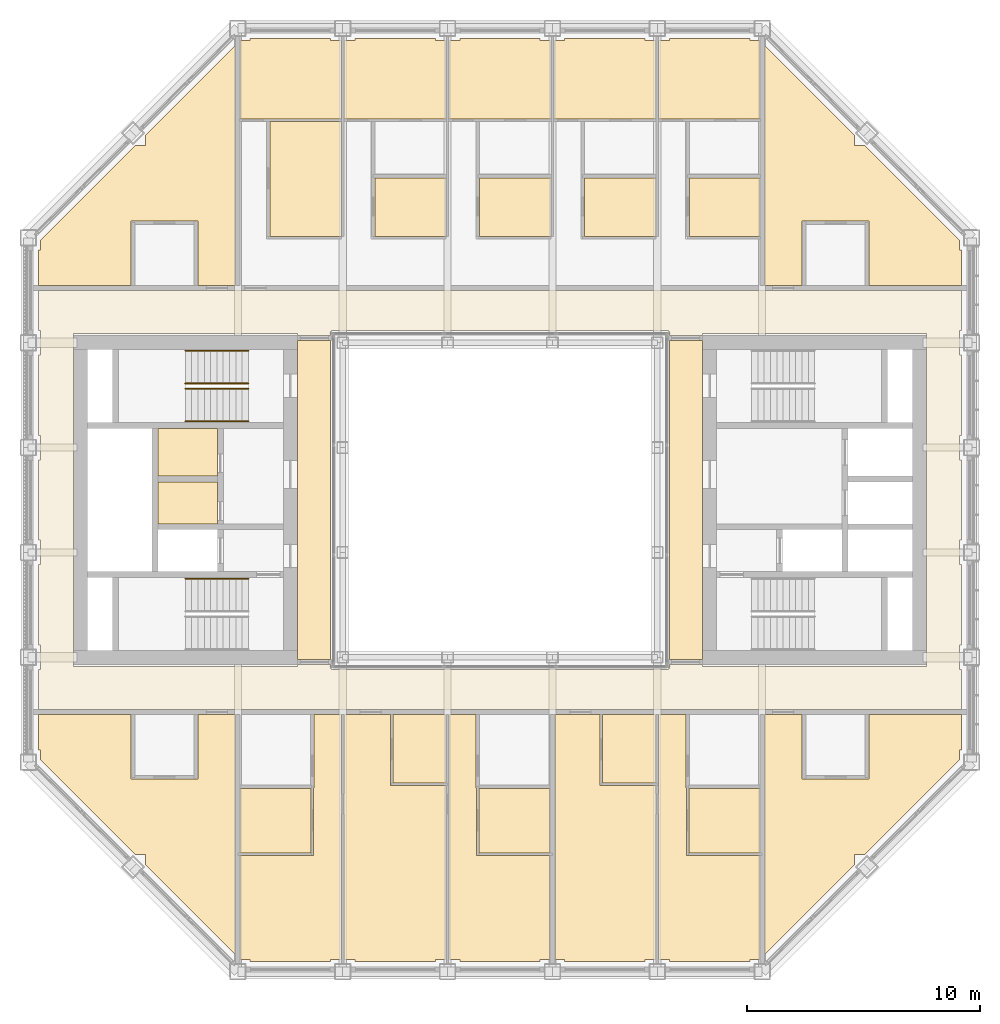
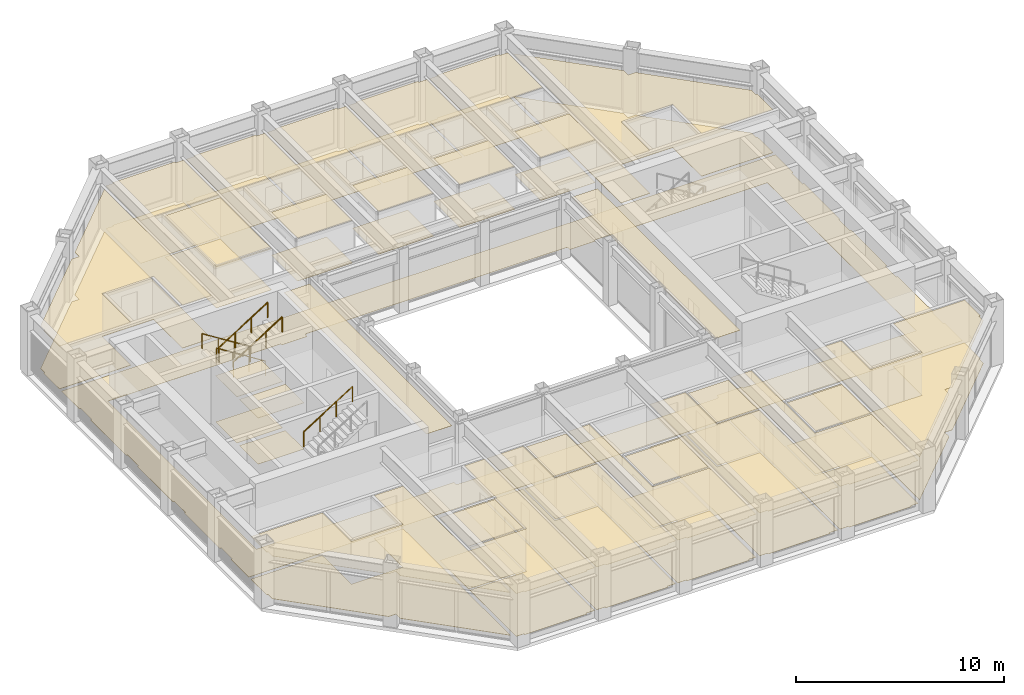
# One storey, part 15 of 17: 7 coverings, 5 railings.
"""IFC4 building model written with IfcOpenShell, lengths in metres."""

import ifcopenshell
import ifcopenshell.guid

model = None  # the IFC model being written
_history = None  # IfcOwnerHistory: only IFC2X3 demands one
_inside = {}  # id of a spatial element -> (the spatial element, [elements in it])
_under = {}  # id of a project, library or spatial element -> (it, [spatial elements below it])
_declared = {}  # id of a project -> (the project, [libraries it declares])
_typed = {}  # id of a type object -> (the type object, [elements of that type])
_made_of = {}  # id of a material, layer set ... -> (it, [elements and type objects made of it])


def new_model(schema):
    """Start an empty IFC model of exactly this schema.

    Asked for "IFC4X3", IfcOpenShell would pick the latest addendum, in which some entities
    have other attributes; the version numbers below select the first issue.
    IFC2X3 requires an IfcOwnerHistory on every rooted entity: one is made here for all.
    """
    global model, _history
    if schema == "IFC4X3":
        model = ifcopenshell.file(schema_version=(4, 3, 0, 0))
    else:
        model = ifcopenshell.file(schema=schema)
    _inside.clear()
    _under.clear()
    _declared.clear()
    _typed.clear()
    _made_of.clear()
    _history = None
    if model.schema == "IFC2X3":
        org = make("IfcOrganization", Name="unknown")
        user = make(
            "IfcPersonAndOrganization",
            ThePerson=make("IfcPerson", FamilyName="unknown"),
            TheOrganization=org,
        )
        app = make(
            "IfcApplication",
            ApplicationDeveloper=org,
            Version="unknown",
            ApplicationFullName="unknown",
            ApplicationIdentifier="unknown",
        )
        _history = make(
            "IfcOwnerHistory",
            OwningUser=user,
            OwningApplication=app,
            ChangeAction="ADDED",
            CreationDate=0,
        )
    return model


def make(cls, **values):
    """One entity of the class cls with the attributes given. An attribute that is None is left unset."""
    return model.create_entity(
        cls, **{name: value for name, value in values.items() if value is not None}
    )


def rooted(cls, **values):
    """An entity with a GlobalId (a new one), such as an element, a storey or a relation."""
    return make(cls, GlobalId=ifcopenshell.guid.new(), OwnerHistory=_history, **values)


def si_unit(unit_type, name, prefix=None):
    """IfcSIUnit, for example si_unit("LENGTHUNIT", "METRE", prefix="MILLI")."""
    return make("IfcSIUnit", UnitType=unit_type, Prefix=prefix, Name=name)


def assignment(units):
    """IfcUnitAssignment: the units of a project."""
    return None if units is None else make("IfcUnitAssignment", Units=units)


def point(xyz):
    """IfcCartesianPoint."""
    return None if xyz is None else make("IfcCartesianPoint", Coordinates=xyz)


def direction(xyz):
    """IfcDirection."""
    return None if xyz is None else make("IfcDirection", DirectionRatios=xyz)


def frame(location, z_axis=None, x_axis=None):
    """IfcAxis2Placement3D, a coordinate frame: its origin and axes. An axis left out is left unset."""
    return make(
        "IfcAxis2Placement3D",
        Location=point(location),
        Axis=direction(z_axis),
        RefDirection=direction(x_axis),
    )


def frame_2d(location, x_axis=None):
    """IfcAxis2Placement2D, a coordinate frame in the plane: its origin and x axis."""
    return make(
        "IfcAxis2Placement2D", Location=point(location), RefDirection=direction(x_axis)
    )


def origin():
    """The frame at (0, 0, 0) with its axes left unset."""
    return frame((0.0, 0.0, 0.0))


def origin_2d():
    """The frame at (0, 0) in the plane with its x axis left unset."""
    return frame_2d((0.0, 0.0))


def place(relative_to, where):
    """IfcLocalPlacement: puts the frame where relative to a parent placement (None: the world)."""
    return make(
        "IfcLocalPlacement", PlacementRelTo=relative_to, RelativePlacement=where
    )


def context(
    kind, dimensions, precision=None, world=None, true_north=None, identifier=None
):
    """IfcGeometricRepresentationContext, for example the 3D "Model" context."""
    return make(
        "IfcGeometricRepresentationContext",
        ContextIdentifier=identifier,
        ContextType=kind,
        CoordinateSpaceDimension=dimensions,
        Precision=precision,
        WorldCoordinateSystem=world,
        TrueNorth=true_north,
    )


def subcontext(parent, identifier, kind, view, scale=None):
    """IfcGeometricRepresentationSubContext, for example "Body" below "Model"."""
    return make(
        "IfcGeometricRepresentationSubContext",
        ContextIdentifier=identifier,
        ContextType=kind,
        ParentContext=parent,
        TargetScale=scale,
        TargetView=view,
    )


def project(units=None, contexts=None):
    """IfcProject with its units and contexts."""
    return rooted(
        "IfcProject",
        Name="project",
        RepresentationContexts=contexts,
        UnitsInContext=assignment(units),
    )


def spatial(cls, under=None, at=None, **own):
    """A site, building, storey or space (cls), placed at a placement, below another one or the project."""
    s = rooted(cls, ObjectPlacement=at, **own)
    if under is not None:
        _under.setdefault(under.id(), (under, []))[1].append(s)
    return s


def point_list(points):
    """IfcCartesianPointList2D or 3D."""
    cls = (
        "IfcCartesianPointList2D" if len(points[0]) == 2 else "IfcCartesianPointList3D"
    )
    return make(cls, CoordList=points)


def line(*indices):
    """IfcLineIndex: a straight run through numbered points of an indexed curve."""
    return model.create_entity("IfcLineIndex", indices)


def indexed_curve(points, segments=None, self_intersect=None):
    """IfcIndexedPolyCurve: lines and arcs through numbered points (the first is 1)."""
    return make(
        "IfcIndexedPolyCurve",
        Points=point_list(points),
        Segments=segments,
        SelfIntersect=self_intersect,
    )


def profile(cls, at=None, kind="AREA", **sizes):
    """A parametric profile (cls). Its sizes go by their IFC names, for example OverallWidth=200.0."""
    return make(cls, ProfileType=kind, Position=at, **sizes)


def circle(**sizes):
    """IfcCircleProfileDef."""
    return profile("IfcCircleProfileDef", **sizes)


def outline(outer, holes=None, kind="AREA"):
    """IfcArbitraryClosedProfileDef: a profile drawn as a closed curve; with holes, ...WithVoids."""
    if holes is None:
        return make("IfcArbitraryClosedProfileDef", ProfileType=kind, OuterCurve=outer)
    return make(
        "IfcArbitraryProfileDefWithVoids",
        ProfileType=kind,
        OuterCurve=outer,
        InnerCurves=holes,
    )


def extrude(swept, where, along, depth):
    """IfcExtrudedAreaSolid: the profile swept, set in the frame where, extruded along a direction by depth."""
    return make(
        "IfcExtrudedAreaSolid",
        SweptArea=swept,
        Position=where,
        ExtrudedDirection=direction(along),
        Depth=depth,
    )


def shape(context_of_items, identifier, shape_type, items):
    """IfcShapeRepresentation: the items that make up one representation, for example the "Body"."""
    return make(
        "IfcShapeRepresentation",
        ContextOfItems=context_of_items,
        RepresentationIdentifier=identifier,
        RepresentationType=shape_type,
        Items=items,
    )


def material(Name=None, Category=None):
    """IfcMaterial."""
    return make("IfcMaterial", Name=Name, Category=Category)


def layer(
    of_material, thickness, ventilated=None, Name=None, Category=None, Priority=None
):
    """IfcMaterialLayer: one layer of a wall or slab, of a material (None: an air gap)."""
    return make(
        "IfcMaterialLayer",
        Material=of_material,
        LayerThickness=thickness,
        IsVentilated=ventilated,
        Name=Name,
        Category=Category,
        Priority=Priority,
    )


def layer_set(layers, Name=None):
    """IfcMaterialLayerSet."""
    return make("IfcMaterialLayerSet", MaterialLayers=layers, LayerSetName=Name)


def made_of(thing, what):
    """Note that an element or type object is made of a material, layer set ...; save() writes the relation."""
    if what is not None:
        _made_of.setdefault(what.id(), (what, []))[1].append(thing)
    return thing


def type_object(cls, material=None, **own):
    """A type object (cls), such as IfcWallType, which elements share."""
    return made_of(rooted(cls, **own), material)


def element(
    cls,
    number,
    at=None,
    inside=None,
    cuts=None,
    type_object=None,
    material=None,
    context=None,
    identifier="Body",
    shape_type=None,
    held_by="IfcProductDefinitionShape",
    body=None,
    shapes=None,
    **own,
):
    """One element of the class cls, such as IfcWall. Its Tag is "e" and its number.

    at: its placement. inside: the storey or other place that contains it. cuts: it is an
    opening in that element (IfcRelVoidsElement). A single representation is given by context,
    identifier, shape_type and body (its items); several are given by shapes. held_by: the class
    of the entity that holds the representations. save() writes the other relations.
    """
    e = rooted(cls, Tag="e%d" % number, ObjectPlacement=at, **own)
    if body is not None:
        shapes = [shape(context, identifier, shape_type, body)]
    if shapes is not None:
        e.Representation = make(held_by, Representations=shapes)
    if inside is not None:
        _inside.setdefault(inside.id(), (inside, []))[1].append(e)
    if cuts is not None:
        rooted(
            "IfcRelVoidsElement", RelatingBuildingElement=cuts, RelatedOpeningElement=e
        )
    if type_object is not None:
        _typed.setdefault(type_object.id(), (type_object, []))[1].append(e)
    return made_of(e, material)


def aggregate(whole, parts):
    """IfcRelAggregates: a whole, such as a stair, and the parts it consists of."""
    return rooted("IfcRelAggregates", RelatingObject=whole, RelatedObjects=parts)


def save(model, path):
    """Write the relations noted so far, then the file.

    IfcRelAggregates (storeys below a building ...), IfcRelContainedInSpatialStructure (elements
    in a storey), IfcRelDefinesByType, IfcRelAssociatesMaterial and IfcRelDeclares: one each for
    every whole, place, type object, material and project.
    """
    for whole, parts in _under.values():
        aggregate(whole, parts)
    for where, things in _inside.values():
        rooted(
            "IfcRelContainedInSpatialStructure",
            RelatedElements=things,
            RelatingStructure=where,
        )
    for kind, things in _typed.values():
        rooted("IfcRelDefinesByType", RelatedObjects=things, RelatingType=kind)
    for what, things in _made_of.values():
        rooted("IfcRelAssociatesMaterial", RelatedObjects=things, RelatingMaterial=what)
    for by, libraries in _declared.values():
        rooted("IfcRelDeclares", RelatingContext=by, RelatedDefinitions=libraries)
    model.write(path)


model = new_model("IFC4")

# Units and contexts
model_context = context("Model", 3, precision=1e-05, world=origin(), true_north=direction((0.0, 1.0)))
body_context = subcontext(model_context, "Body", "Model", "MODEL_VIEW")
ifc_project = project(units=[si_unit("LENGTHUNIT", "METRE"), si_unit("AREAUNIT", "SQUARE_METRE"), si_unit("VOLUMEUNIT", "CUBIC_METRE"), si_unit("PLANEANGLEUNIT", "RADIAN"), si_unit("MASSUNIT", "GRAM", prefix="KILO")], contexts=[model_context])

# Site, building, storey
site_placement = place(None, origin())
site = spatial("IfcSite", under=ifc_project, at=site_placement, CompositionType="ELEMENT")
building_placement = place(site_placement, origin())
building = spatial("IfcBuilding", under=site, at=building_placement, Name="Msasa Ring Tower", CompositionType="ELEMENT")
storey_placement = place(building_placement, frame((0.0, 0.0, 253.300048828125)))
storey = spatial("IfcBuildingStorey", under=building, at=storey_placement, Name="L66", CompositionType="ELEMENT", Elevation=253.300048828125)

# Coverings
ifc_material_1 = material(Name="Gypsum plasterboard on a steel suspension grid", Category="steel")
ifc_layer_1 = layer(ifc_material_1, 0.014892578125)
ifc_layer_set_1 = layer_set([ifc_layer_1], Name="C1 SUSPENDED PLASTERBOARD CEILING 15")
covering_type_1 = type_object("IfcCoveringType", Name="C1 SUSPENDED PLASTERBOARD CEILING 15", PredefinedType="CEILING", material=ifc_layer_set_1)
covering_1_placement = place(storey_placement, frame((0.0, 0.0, 3.199951171875)))
element("IfcCovering", 1, at=covering_1_placement, inside=storey, type_object=covering_type_1, Name="Suspended Plasterboard Ceiling 15 public rooms L66", PredefinedType="CEILING", context=body_context, shape_type="SweptSolid", body=[
    extrude(outline(indexed_curve([(-7.280029296875, 6.849609375), (-7.280029296875, -6.849609375), (-8.699462890625, -6.849609375), (-8.699462890625, 6.849609375)], segments=[line(1, 2, 3, 4, 1)], self_intersect=False)), origin(), (0.0, 0.0, 1.0), 0.014892578125),
    extrude(outline(indexed_curve([(8.699462890625, 6.849609375), (8.699462890625, -6.849609375), (7.280029296875, -6.849609375), (7.280029296875, 6.849609375)], segments=[line(1, 2, 3, 4, 1)], self_intersect=False)), origin(), (0.0, 0.0, 1.0), 0.014892578125),
])
covering_2_placement = place(storey_placement, frame((0.0, 0.0, 2.508056640625)))
element("IfcCovering", 2, at=covering_2_placement, inside=storey, type_object=covering_type_1, Name="Suspended Plasterboard Ceiling 15 L66", PredefinedType="CEILING", context=body_context, shape_type="SweptSolid", body=[
    extrude(outline(indexed_curve([(-12.969482421875, -9.200439453125), (-11.3505859375, -9.200439453125), (-11.3505859375, -19.512451171875), (-15.224609375, -15.638427734375), (-15.224609375, -15.224609375), (-15.638427734375, -15.224609375), (-19.724609375, -11.138427734375), (-19.724609375, -10.724609375), (-19.799560546875, -10.724609375), (-19.799560546875, -9.200439453125), (-15.83056640625, -9.200439453125), (-15.83056640625, -11.98046875), (-12.969482421875, -11.98046875)], segments=[line(1, 2, 3, 4, 5, 6, 7, 8, 9, 10, 11, 12, 13, 1)], self_intersect=False)), origin(), (0.0, 0.0, 1.0), 0.014892578125),
    extrude(outline(indexed_curve([(-19.799560546875, 9.200439453125), (-19.799560546875, 10.724609375), (-19.724609375, 10.724609375), (-19.724609375, 11.138427734375), (-15.638427734375, 15.224609375), (-15.224609375, 15.224609375), (-15.224609375, 15.638427734375), (-11.3505859375, 19.512451171875), (-11.3505859375, 9.200439453125), (-12.969482421875, 9.200439453125), (-12.969482421875, 11.98046875), (-15.83056640625, 11.98046875), (-15.83056640625, 9.200439453125)], segments=[line(1, 2, 3, 4, 5, 6, 7, 8, 9, 10, 11, 12, 13, 1)], self_intersect=False)), origin(), (0.0, 0.0, 1.0), 0.014892578125),
    extrude(outline(indexed_curve([(-7.99951171875, -15.25), (-7.99951171875, -12.35009765625), (-7.974609375, -12.35009765625), (-7.974609375, -9.200439453125), (-6.810546875, -9.200439453125), (-6.810546875, -19.724609375), (-7.275390625, -19.724609375), (-7.275390625, -19.799560546875), (-10.724609375, -19.799560546875), (-10.724609375, -19.724609375), (-11.138427734375, -19.724609375), (-11.1494140625, -19.71337890625), (-11.1494140625, -15.25048828125)], segments=[line(1, 2, 3, 4, 5, 6, 7, 8, 9, 10, 11, 12, 13, 1)], self_intersect=False)), origin(), (0.0, 0.0, 1.0), 0.014892578125),
    extrude(outline(indexed_curve([(-8.10546875, -12.380615234375), (-8.10546875, -15.14453125), (-11.1494140625, -15.14453125), (-11.1494140625, -12.380615234375)], segments=[line(1, 2, 3, 4, 1)], self_intersect=False)), origin(), (0.0, 0.0, 1.0), 0.014892578125),
    extrude(outline(indexed_curve([(-11.1494140625, 16.35546875), (-11.1494140625, 19.71337890625), (-11.138427734375, 19.724609375), (-10.724609375, 19.724609375), (-10.724609375, 19.799560546875), (-7.275390625, 19.799560546875), (-7.275390625, 19.724609375), (-6.810546875, 19.724609375), (-6.810546875, 16.35546875)], segments=[line(1, 2, 3, 4, 5, 6, 7, 8, 9, 1)], self_intersect=False)), origin(), (0.0, 0.0, 1.0), 0.014892578125),
    extrude(outline(indexed_curve([(-6.224609375, -19.799560546875), (-6.224609375, -19.724609375), (-6.689453125, -19.724609375), (-6.689453125, -9.200439453125), (-4.700439453125, -9.200439453125), (-4.700439453125, -12.25048828125), (-2.310546875, -12.25048828125), (-2.310546875, -19.724609375), (-2.775390625, -19.724609375), (-2.775390625, -19.799560546875)], segments=[line(1, 2, 3, 4, 5, 6, 7, 8, 9, 10, 1)], self_intersect=False)), origin(), (0.0, 0.0, 1.0), 0.014892578125),
    extrude(outline(indexed_curve([(-6.689453125, 19.724609375), (-6.224609375, 19.724609375), (-6.224609375, 19.799560546875), (-2.775390625, 19.799560546875), (-2.775390625, 19.724609375), (-2.310546875, 19.724609375), (-2.310546875, 16.35546875), (-6.689453125, 16.35546875)], segments=[line(1, 2, 3, 4, 5, 6, 7, 8, 1)], self_intersect=False)), origin(), (0.0, 0.0, 1.0), 0.014892578125),
    extrude(outline(indexed_curve([(-5.369384765625, 13.819580078125), (-2.310546875, 13.819580078125), (-2.310546875, 11.305419921875), (-5.369384765625, 11.305419921875)], segments=[line(1, 2, 3, 4, 1)], self_intersect=False)), origin(), (0.0, 0.0, 1.0), 0.014892578125),
    extrude(outline(indexed_curve([(-1.724609375, -19.799560546875), (-1.724609375, -19.724609375), (-2.189453125, -19.724609375), (-2.189453125, -9.200439453125), (-1.025390625, -9.200439453125), (-1.025390625, -12.35009765625), (-1.00048828125, -12.35009765625), (-1.00048828125, -15.25048828125), (2.1494140625, -15.25048828125), (2.1494140625, -19.724609375), (1.724609375, -19.724609375), (1.724609375, -19.799560546875)], segments=[line(1, 2, 3, 4, 5, 6, 7, 8, 9, 10, 11, 12, 1)], self_intersect=False)), origin(), (0.0, 0.0, 1.0), 0.014892578125),
    extrude(outline(indexed_curve([(-2.189453125, 16.35546875), (-2.189453125, 19.724609375), (-1.724609375, 19.724609375), (-1.724609375, 19.799560546875), (1.724609375, 19.799560546875), (1.724609375, 19.724609375), (2.189453125, 19.724609375), (2.189453125, 16.35546875)], segments=[line(1, 2, 3, 4, 5, 6, 7, 8, 1)], self_intersect=False)), origin(), (0.0, 0.0, 1.0), 0.014892578125),
    extrude(outline(indexed_curve([(-0.89453125, -12.380615234375), (2.1494140625, -12.380615234375), (2.1494140625, -15.14453125), (-0.89453125, -15.14453125)], segments=[line(1, 2, 3, 4, 1)], self_intersect=False)), origin(), (0.0, 0.0, 1.0), 0.014892578125),
    extrude(outline(indexed_curve([(-0.869384765625, 13.819580078125), (2.189453125, 13.819580078125), (2.189453125, 11.305419921875), (-0.869384765625, 11.305419921875)], segments=[line(1, 2, 3, 4, 1)], self_intersect=False)), origin(), (0.0, 0.0, 1.0), 0.014892578125),
    extrude(outline(indexed_curve([(2.310546875, 19.724609375), (2.775390625, 19.724609375), (2.775390625, 19.799560546875), (6.224609375, 19.799560546875), (6.224609375, 19.724609375), (6.689453125, 19.724609375), (6.689453125, 16.35546875), (2.310546875, 16.35546875)], segments=[line(1, 2, 3, 4, 5, 6, 7, 8, 1)], self_intersect=False)), origin(), (0.0, 0.0, 1.0), 0.014892578125),
    extrude(outline(indexed_curve([(2.775390625, -19.799560546875), (2.775390625, -19.724609375), (2.3505859375, -19.724609375), (2.3505859375, -9.200439453125), (4.299560546875, -9.200439453125), (4.299560546875, -12.25048828125), (6.689453125, -12.25048828125), (6.689453125, -19.724609375), (6.224609375, -19.724609375), (6.224609375, -19.799560546875)], segments=[line(1, 2, 3, 4, 5, 6, 7, 8, 9, 10, 1)], self_intersect=False)), origin(), (0.0, 0.0, 1.0), 0.014892578125),
    extrude(outline(indexed_curve([(6.689453125, 13.819580078125), (6.689453125, 11.305419921875), (3.630615234375, 11.305419921875), (3.630615234375, 13.819580078125)], segments=[line(1, 2, 3, 4, 1)], self_intersect=False)), origin(), (0.0, 0.0, 1.0), 0.014892578125),
    extrude(outline(indexed_curve([(11.138427734375, -19.724609375), (10.724609375, -19.724609375), (10.724609375, -19.799560546875), (7.275390625, -19.799560546875), (7.275390625, -19.724609375), (6.810546875, -19.724609375), (6.810546875, -9.200439453125), (7.974609375, -9.200439453125), (7.974609375, -12.35009765625), (7.99951171875, -12.35009765625), (7.99951171875, -15.25048828125), (11.1494140625, -15.25048828125), (11.1494140625, -19.71337890625)], segments=[line(1, 2, 3, 4, 5, 6, 7, 8, 9, 10, 11, 12, 13, 1)], self_intersect=False)), origin(), (0.0, 0.0, 1.0), 0.014892578125),
    extrude(outline(indexed_curve([(6.810546875, 16.35546875), (6.810546875, 19.724609375), (7.275390625, 19.724609375), (7.275390625, 19.799560546875), (10.724609375, 19.799560546875), (10.724609375, 19.724609375), (11.138427734375, 19.724609375), (11.1494140625, 19.71337890625), (11.1494140625, 16.35546875)], segments=[line(1, 2, 3, 4, 5, 6, 7, 8, 9, 1)], self_intersect=False)), origin(), (0.0, 0.0, 1.0), 0.014892578125),
    extrude(outline(indexed_curve([(11.1494140625, -12.380615234375), (11.1494140625, -15.14453125), (8.10546875, -15.14453125), (8.10546875, -12.380615234375)], segments=[line(1, 2, 3, 4, 1)], self_intersect=False)), origin(), (0.0, 0.0, 1.0), 0.014892578125),
    extrude(outline(indexed_curve([(11.1494140625, 13.819580078125), (11.1494140625, 11.305419921875), (8.130615234375, 11.305419921875), (8.130615234375, 13.819580078125)], segments=[line(1, 2, 3, 4, 1)], self_intersect=False)), origin(), (0.0, 0.0, 1.0), 0.014892578125),
    extrude(outline(indexed_curve([(19.799560546875, -10.724609375), (19.724609375, -10.724609375), (19.724609375, -11.138427734375), (15.638427734375, -15.224609375), (15.224609375, -15.224609375), (15.224609375, -15.638427734375), (11.3505859375, -19.512451171875), (11.3505859375, -9.200439453125), (12.969482421875, -9.200439453125), (12.969482421875, -11.98046875), (15.83056640625, -11.98046875), (15.83056640625, -9.200439453125), (19.799560546875, -9.200439453125)], segments=[line(1, 2, 3, 4, 5, 6, 7, 8, 9, 10, 11, 12, 13, 1)], self_intersect=False)), origin(), (0.0, 0.0, 1.0), 0.014892578125),
    extrude(outline(indexed_curve([(12.969482421875, 11.98046875), (12.969482421875, 9.200439453125), (11.3505859375, 9.200439453125), (11.3505859375, 19.512451171875), (15.224609375, 15.638427734375), (15.224609375, 15.224609375), (15.638427734375, 15.224609375), (19.724609375, 11.138427734375), (19.724609375, 10.724609375), (19.799560546875, 10.724609375), (19.799560546875, 9.200439453125), (15.83056640625, 9.200439453125), (15.83056640625, 11.98046875)], segments=[line(1, 2, 3, 4, 5, 6, 7, 8, 9, 10, 11, 12, 13, 1)], self_intersect=False)), origin(), (0.0, 0.0, 1.0), 0.014892578125),
])
ifc_material_2 = material(Name="Mineral fibre ceiling tiles on an exposed steel grid", Category="steel")
ifc_layer_2 = layer(ifc_material_2, 0.02001953125)
ifc_layer_set_2 = layer_set([ifc_layer_2], Name="C3 ACOUSTIC MINERAL FIBRE TILE CEILING 20")
covering_type_2 = type_object("IfcCoveringType", Name="C3 ACOUSTIC MINERAL FIBRE TILE CEILING 20", PredefinedType="CEILING", material=ifc_layer_set_2)
covering_3_placement = place(storey_placement, frame((0.0, 0.0, 2.699951171875)))
element("IfcCovering", 3, at=covering_3_placement, inside=storey, type_object=covering_type_2, Name="Acoustic Mineral Fibre Tile Ceiling 20 L66", PredefinedType="CEILING", context=body_context, shape_type="SweptSolid", body=[
    extrude(outline(indexed_curve([(-12.12548828125, -1.0244140625), (-14.674560546875, -1.0244140625), (-14.674560546875, 0.7744140625), (-12.12548828125, 0.7744140625)], segments=[line(1, 2, 3, 4, 1)], self_intersect=False)), origin(), (0.0, 0.0, 1.0), 0.02001953125),
    extrude(outline(indexed_curve([(-12.12548828125, 3.074462890625), (-12.12548828125, 1.025390625), (-14.674560546875, 1.025390625), (-14.674560546875, 3.074462890625)], segments=[line(1, 2, 3, 4, 1)], self_intersect=False)), origin(), (0.0, 0.0, 1.0), 0.02001953125),
])
ifc_material_3 = material(Name="Perforated aluminium ceiling pans on a steel grid", Category="steel")
ifc_layer_3 = layer(ifc_material_3, 0.02490234375)
ifc_layer_set_3 = layer_set([ifc_layer_3], Name="C4 PERFORATED METAL PAN CEILING 25")
covering_type_3 = type_object("IfcCoveringType", Name="C4 PERFORATED METAL PAN CEILING 25", PredefinedType="CEILING", material=ifc_layer_set_3)
covering_4_placement = place(storey_placement, frame((0.0, 0.0, 2.39990234375)))
element("IfcCovering", 4, at=covering_4_placement, inside=storey, type_object=covering_type_3, Name="Perforated Metal Pan Ceiling 25 L66", PredefinedType="CEILING", context=body_context, shape_type="SweptSolid", body=[
    extrude(outline(indexed_curve([(-6.810546875, 11.305419921875), (-9.869384765625, 11.305419921875), (-9.869384765625, 16.244384765625), (-6.810546875, 16.244384765625)], segments=[line(1, 2, 3, 4, 1)], self_intersect=False)), origin(), (0.0, 0.0, 1.0), 0.025146484375),
    extrude(outline(indexed_curve([(-2.310546875, -9.200439453125), (-2.310546875, -12.14453125), (-4.594482421875, -12.14453125), (-4.594482421875, -9.200439453125)], segments=[line(1, 2, 3, 4, 1)], self_intersect=False)), origin(), (0.0, 0.0, 1.0), 0.025146484375),
    extrude(outline(indexed_curve([(6.689453125, -12.14453125), (4.405517578125, -12.14453125), (4.405517578125, -9.200439453125), (6.689453125, -9.200439453125)], segments=[line(1, 2, 3, 4, 1)], self_intersect=False)), origin(), (0.0, 0.0, 1.0), 0.025146484375),
])
ifc_material_4 = material(Name="Wool-blend carpet on felt underlay", Category="textile")
ifc_layer_4 = layer(ifc_material_4, 0.011962890625)
ifc_layer_set_4 = layer_set([ifc_layer_4], Name="F2 CARPET ON UNDERLAY 12")
covering_type_4 = type_object("IfcCoveringType", Name="F2 CARPET ON UNDERLAY 12", PredefinedType="FLOORING", material=ifc_layer_set_4)
covering_5_placement = place(storey_placement, origin())
element("IfcCovering", 5, at=covering_5_placement, inside=storey, type_object=covering_type_4, Name="Carpet On Underlay 12 L66", PredefinedType="FLOORING", context=body_context, shape_type="SweptSolid", body=[
    extrude(outline(indexed_curve([(19.799560546875, 7.275390625), (19.724609375, 7.275390625), (19.724609375, 6.224609375), (19.799560546875, 6.224609375), (19.799560546875, 2.775390625), (19.724609375, 2.775390625), (19.724609375, 1.724609375), (19.799560546875, 1.724609375), (19.799560546875, -1.724609375), (19.724609375, -1.724609375), (19.724609375, -2.775390625), (19.799560546875, -2.775390625), (19.799560546875, -6.224609375), (19.724609375, -6.224609375), (19.724609375, -7.275390625), (19.799560546875, -7.275390625), (19.799560546875, -8.99951171875), (-19.799560546875, -8.99951171875), (-19.799560546875, -7.275390625), (-19.724609375, -7.275390625), (-19.724609375, -6.224609375), (-19.799560546875, -6.224609375), (-19.799560546875, -2.775390625), (-19.724609375, -2.775390625), (-19.724609375, -1.724609375), (-19.799560546875, -1.724609375), (-19.799560546875, 1.724609375), (-19.724609375, 1.724609375), (-19.724609375, 2.775390625), (-19.799560546875, 2.775390625), (-19.799560546875, 6.224609375), (-19.724609375, 6.224609375), (-19.724609375, 7.275390625), (-19.799560546875, 7.275390625), (-19.799560546875, 8.99951171875), (19.799560546875, 8.99951171875)], segments=[line(1, 2, 3, 4, 5, 6, 7, 8, 9, 10, 11, 12, 13, 14, 15, 16, 17, 18, 19, 20, 21, 22, 23, 24, 25, 26, 27, 28, 29, 30, 31, 32, 33, 34, 35, 36, 1)], self_intersect=False), holes=[indexed_curve([(8.699462890625, -7.150390625), (18.300537109375, -7.150390625), (18.300537109375, 7.150390625), (8.699462890625, 7.150390625), (8.699462890625, 7.050537109375), (7.280029296875, 7.050537109375), (7.280517578125, 7.23046875), (7.22998046875, 7.23046875), (7.22998046875, 7.280029296875), (-7.22998046875, 7.280029296875), (-7.22998046875, 7.23046875), (-7.280517578125, 7.23046875), (-7.280029296875, 7.050537109375), (-8.699462890625, 7.050537109375), (-8.699462890625, 7.150390625), (-18.300537109375, 7.150390625), (-18.300537109375, -7.150390625), (-8.699462890625, -7.150390625), (-8.699462890625, -7.050537109375), (-7.280029296875, -7.050537109375), (-7.280517578125, -7.23046875), (-7.22998046875, -7.23046875), (-7.22998046875, -7.280029296875), (7.22998046875, -7.280029296875), (7.22998046875, -7.23046875), (7.280517578125, -7.23046875), (7.280029296875, -7.050537109375), (8.699462890625, -7.050537109375)], segments=[line(1, 2, 3, 4, 5, 6, 7, 8, 9, 10, 11, 12, 13, 14, 15, 16, 17, 18, 19, 20, 21, 22, 23, 24, 25, 26, 27, 28, 1)], self_intersect=False)]), origin(), (0.0, 0.0, 1.0), 0.011962890625),
    extrude(outline(indexed_curve([(-6.810546875, -9.200439453125), (-6.810546875, -19.724609375), (-7.275390625, -19.724609375), (-7.275390625, -19.799560546875), (-10.724609375, -19.799560546875), (-10.724609375, -19.724609375), (-11.138427734375, -19.724609375), (-11.1494140625, -19.71337890625), (-11.1494140625, -15.25048828125), (-7.99951171875, -15.25048828125), (-7.99951171875, -12.35009765625), (-7.974609375, -12.35009765625), (-7.974609375, -9.200439453125)], segments=[line(1, 2, 3, 4, 5, 6, 7, 8, 9, 10, 11, 12, 13, 1)], self_intersect=False)), origin(), (0.0, 0.0, 1.0), 0.011962890625),
    extrude(outline(indexed_curve([(-8.10546875, -12.380615234375), (-8.10546875, -15.14453125), (-11.1494140625, -15.14453125), (-11.1494140625, -12.380615234375)], segments=[line(1, 2, 3, 4, 1)], self_intersect=False)), origin(), (0.0, 0.0, 1.0), 0.011962890625),
    extrude(outline(indexed_curve([(-11.1494140625, 16.35546875), (-11.1494140625, 19.71337890625), (-11.138427734375, 19.724609375), (-10.724609375, 19.724609375), (-10.724609375, 19.799560546875), (-7.275390625, 19.799560546875), (-7.275390625, 19.724609375), (-6.810546875, 19.724609375), (-6.810546875, 16.35546875)], segments=[line(1, 2, 3, 4, 5, 6, 7, 8, 9, 1)], self_intersect=False)), origin(), (0.0, 0.0, 1.0), 0.011962890625),
    extrude(outline(indexed_curve([(-6.689453125, -9.200439453125), (-4.700439453125, -9.200439453125), (-4.700439453125, -12.25048828125), (-2.310546875, -12.25048828125), (-2.310546875, -19.724609375), (-2.775390625, -19.724609375), (-2.775390625, -19.799560546875), (-6.224609375, -19.799560546875), (-6.224609375, -19.724609375), (-6.689453125, -19.724609375)], segments=[line(1, 2, 3, 4, 5, 6, 7, 8, 9, 10, 1)], self_intersect=False)), origin(), (0.0, 0.0, 1.0), 0.011962890625),
    extrude(outline(indexed_curve([(-2.775390625, 19.799560546875), (-2.775390625, 19.724609375), (-2.310546875, 19.724609375), (-2.310546875, 16.35546875), (-6.689453125, 16.35546875), (-6.689453125, 19.724609375), (-6.224609375, 19.724609375), (-6.224609375, 19.799560546875)], segments=[line(1, 2, 3, 4, 5, 6, 7, 8, 1)], self_intersect=False)), origin(), (0.0, 0.0, 1.0), 0.011962890625),
    extrude(outline(indexed_curve([(-2.310546875, 13.819580078125), (-2.310546875, 11.305419921875), (-5.369384765625, 11.305419921875), (-5.369384765625, 13.819580078125)], segments=[line(1, 2, 3, 4, 1)], self_intersect=False)), origin(), (0.0, 0.0, 1.0), 0.011962890625),
    extrude(outline(indexed_curve([(-2.189453125, -9.200439453125), (-1.025390625, -9.200439453125), (-1.025390625, -12.35009765625), (-1.00048828125, -12.35009765625), (-1.00048828125, -15.25048828125), (2.1494140625, -15.25048828125), (2.1494140625, -19.724609375), (1.724609375, -19.724609375), (1.724609375, -19.799560546875), (-1.724609375, -19.799560546875), (-1.724609375, -19.724609375), (-2.189453125, -19.724609375)], segments=[line(1, 2, 3, 4, 5, 6, 7, 8, 9, 10, 11, 12, 1)], self_intersect=False)), origin(), (0.0, 0.0, 1.0), 0.011962890625),
    extrude(outline(indexed_curve([(1.724609375, 19.799560546875), (1.724609375, 19.724609375), (2.189453125, 19.724609375), (2.189453125, 16.35546875), (-2.189453125, 16.35546875), (-2.189453125, 19.724609375), (-1.724609375, 19.724609375), (-1.724609375, 19.799560546875)], segments=[line(1, 2, 3, 4, 5, 6, 7, 8, 1)], self_intersect=False)), origin(), (0.0, 0.0, 1.0), 0.011962890625),
    extrude(outline(indexed_curve([(2.1494140625, -12.380615234375), (2.1494140625, -15.14453125), (-0.89453125, -15.14453125), (-0.89453125, -12.380615234375)], segments=[line(1, 2, 3, 4, 1)], self_intersect=False)), origin(), (0.0, 0.0, 1.0), 0.011962890625),
    extrude(outline(indexed_curve([(2.189453125, 13.819580078125), (2.189453125, 11.305419921875), (-0.869384765625, 11.305419921875), (-0.869384765625, 13.819580078125)], segments=[line(1, 2, 3, 4, 1)], self_intersect=False)), origin(), (0.0, 0.0, 1.0), 0.011962890625),
    extrude(outline(indexed_curve([(6.224609375, 19.799560546875), (6.224609375, 19.724609375), (6.689453125, 19.724609375), (6.689453125, 16.35546875), (2.310546875, 16.35546875), (2.310546875, 19.724609375), (2.775390625, 19.724609375), (2.775390625, 19.799560546875)], segments=[line(1, 2, 3, 4, 5, 6, 7, 8, 1)], self_intersect=False)), origin(), (0.0, 0.0, 1.0), 0.011962890625),
    extrude(outline(indexed_curve([(4.299560546875, -9.200439453125), (4.299560546875, -12.25048828125), (6.689453125, -12.25048828125), (6.689453125, -19.724609375), (6.224609375, -19.724609375), (6.224609375, -19.799560546875), (2.775390625, -19.799560546875), (2.775390625, -19.724609375), (2.3505859375, -19.724609375), (2.3505859375, -9.200439453125)], segments=[line(1, 2, 3, 4, 5, 6, 7, 8, 9, 10, 1)], self_intersect=False)), origin(), (0.0, 0.0, 1.0), 0.011962890625),
    extrude(outline(indexed_curve([(6.689453125, 13.819580078125), (6.689453125, 11.305419921875), (3.630615234375, 11.305419921875), (3.630615234375, 13.819580078125)], segments=[line(1, 2, 3, 4, 1)], self_intersect=False)), origin(), (0.0, 0.0, 1.0), 0.011962890625),
    extrude(outline(indexed_curve([(7.275390625, -19.799560546875), (7.275390625, -19.724609375), (6.810546875, -19.724609375), (6.810546875, -9.200439453125), (7.974609375, -9.200439453125), (7.974609375, -12.35009765625), (7.99951171875, -12.35009765625), (7.99951171875, -15.25048828125), (11.1494140625, -15.25048828125), (11.1494140625, -19.71337890625), (11.138427734375, -19.724609375), (10.724609375, -19.724609375), (10.724609375, -19.799560546875)], segments=[line(1, 2, 3, 4, 5, 6, 7, 8, 9, 10, 11, 12, 13, 1)], self_intersect=False)), origin(), (0.0, 0.0, 1.0), 0.011962890625),
    extrude(outline(indexed_curve([(6.810546875, 19.724609375), (7.275390625, 19.724609375), (7.275390625, 19.799560546875), (10.724609375, 19.799560546875), (10.724609375, 19.724609375), (11.138427734375, 19.724609375), (11.1494140625, 19.71337890625), (11.1494140625, 16.35546875), (6.810546875, 16.35546875)], segments=[line(1, 2, 3, 4, 5, 6, 7, 8, 9, 1)], self_intersect=False)), origin(), (0.0, 0.0, 1.0), 0.011962890625),
    extrude(outline(indexed_curve([(11.1494140625, -12.380615234375), (11.1494140625, -15.14453125), (8.10546875, -15.14453125), (8.10546875, -12.380615234375)], segments=[line(1, 2, 3, 4, 1)], self_intersect=False)), origin(), (0.0, 0.0, 1.0), 0.011962890625),
    extrude(outline(indexed_curve([(11.1494140625, 13.819580078125), (11.1494140625, 11.305419921875), (8.130615234375, 11.305419921875), (8.130615234375, 13.819580078125)], segments=[line(1, 2, 3, 4, 1)], self_intersect=False)), origin(), (0.0, 0.0, 1.0), 0.011962890625),
])
ifc_material_5 = material(Name="Engineered oak boards on an acoustic underlay", Category="wood")
ifc_layer_5 = layer(ifc_material_5, 0.01806640625)
ifc_layer_set_5 = layer_set([ifc_layer_5], Name="F3 ENGINEERED TIMBER ON ACOUSTIC UNDERLAY 18")
covering_type_5 = type_object("IfcCoveringType", Name="F3 ENGINEERED TIMBER ON ACOUSTIC UNDERLAY 18", PredefinedType="FLOORING", material=ifc_layer_set_5)
covering_6_placement = place(storey_placement, origin())
element("IfcCovering", 6, at=covering_6_placement, inside=storey, type_object=covering_type_5, Name="Engineered Timber On Acoustic Underlay 18 L66", PredefinedType="FLOORING", context=body_context, shape_type="SweptSolid", body=[
    extrude(outline(indexed_curve([(-15.83056640625, -11.98046875), (-12.969482421875, -11.98046875), (-12.969482421875, -9.200439453125), (-11.3505859375, -9.200439453125), (-11.3505859375, -19.512451171875), (-15.224609375, -15.638427734375), (-15.224609375, -15.224609375), (-15.638427734375, -15.224609375), (-19.724609375, -11.138427734375), (-19.724609375, -10.724609375), (-19.799560546875, -10.724609375), (-19.799560546875, -9.200439453125), (-15.83056640625, -9.200439453125)], segments=[line(1, 2, 3, 4, 5, 6, 7, 8, 9, 10, 11, 12, 13, 1)], self_intersect=False)), origin(), (0.0, 0.0, 1.0), 0.01806640625),
    extrude(outline(indexed_curve([(-15.83056640625, 9.200439453125), (-19.799560546875, 9.200439453125), (-19.799560546875, 10.724609375), (-19.724609375, 10.724609375), (-19.724609375, 11.138427734375), (-15.638427734375, 15.224609375), (-15.224609375, 15.224609375), (-15.224609375, 15.638427734375), (-11.3505859375, 19.512451171875), (-11.3505859375, 9.200439453125), (-12.969482421875, 9.200439453125), (-12.969482421875, 11.98046875), (-15.83056640625, 11.98046875)], segments=[line(1, 2, 3, 4, 5, 6, 7, 8, 9, 10, 11, 12, 13, 1)], self_intersect=False)), origin(), (0.0, 0.0, 1.0), 0.01806640625),
    extrude(outline(indexed_curve([(15.83056640625, -9.200439453125), (19.799560546875, -9.200439453125), (19.799560546875, -10.724609375), (19.724609375, -10.724609375), (19.724609375, -11.138427734375), (15.638427734375, -15.224609375), (15.224609375, -15.224609375), (15.224609375, -15.638427734375), (11.3505859375, -19.512451171875), (11.3505859375, -9.200439453125), (12.969482421875, -9.200439453125), (12.969482421875, -11.98046875), (15.83056640625, -11.98046875)], segments=[line(1, 2, 3, 4, 5, 6, 7, 8, 9, 10, 11, 12, 13, 1)], self_intersect=False)), origin(), (0.0, 0.0, 1.0), 0.01806640625),
    extrude(outline(indexed_curve([(15.83056640625, 11.98046875), (12.969482421875, 11.98046875), (12.969482421875, 9.200439453125), (11.3505859375, 9.200439453125), (11.3505859375, 19.512451171875), (15.224609375, 15.638427734375), (15.224609375, 15.224609375), (15.638427734375, 15.224609375), (19.724609375, 11.138427734375), (19.724609375, 10.724609375), (19.799560546875, 10.724609375), (19.799560546875, 9.200439453125), (15.83056640625, 9.200439453125)], segments=[line(1, 2, 3, 4, 5, 6, 7, 8, 9, 10, 11, 12, 13, 1)], self_intersect=False)), origin(), (0.0, 0.0, 1.0), 0.01806640625),
])
ifc_material_6 = material(Name="Welded vinyl safety sheet flooring", Category="vinyl")
ifc_layer_6 = layer(ifc_material_6, 0.0029296875)
ifc_layer_set_6 = layer_set([ifc_layer_6], Name="F5 RESILIENT SHEET FLOORING 3")
covering_type_6 = type_object("IfcCoveringType", Name="F5 RESILIENT SHEET FLOORING 3", PredefinedType="FLOORING", material=ifc_layer_set_6)
covering_7_placement = place(storey_placement, origin())
element("IfcCovering", 7, at=covering_7_placement, inside=storey, type_object=covering_type_6, Name="Resilient Sheet Flooring 3 L66", PredefinedType="FLOORING", context=body_context, shape_type="SweptSolid", body=[
    extrude(outline(indexed_curve([(-14.674560546875, -1.0244140625), (-14.674560546875, 0.7744140625), (-12.12548828125, 0.7744140625), (-12.12548828125, -1.0244140625)], segments=[line(1, 2, 3, 4, 1)], self_intersect=False)), origin(), (0.0, 0.0, 1.0), 0.0029296875),
    extrude(outline(indexed_curve([(-14.674560546875, 3.074462890625), (-12.12548828125, 3.074462890625), (-12.12548828125, 1.025390625), (-14.674560546875, 1.025390625)], segments=[line(1, 2, 3, 4, 1)], self_intersect=False)), origin(), (0.0, 0.0, 1.0), 0.0029296875),
    extrude(outline(indexed_curve([(-9.869384765625, 16.244384765625), (-6.810546875, 16.244384765625), (-6.810546875, 11.305419921875), (-9.869384765625, 11.305419921875)], segments=[line(1, 2, 3, 4, 1)], self_intersect=False)), origin(), (0.0, 0.0, 1.0), 0.0029296875),
    extrude(outline(indexed_curve([(-4.594482421875, -12.14453125), (-4.594482421875, -9.200439453125), (-2.310546875, -9.200439453125), (-2.310546875, -12.14453125)], segments=[line(1, 2, 3, 4, 1)], self_intersect=False)), origin(), (0.0, 0.0, 1.0), 0.0029296875),
    extrude(outline(indexed_curve([(4.405517578125, -12.14453125), (4.405517578125, -9.200439453125), (6.689453125, -9.200439453125), (6.689453125, -12.14453125)], segments=[line(1, 2, 3, 4, 1)], self_intersect=False)), origin(), (0.0, 0.0, 1.0), 0.0029296875),
])

# Railings
ifc_material_7 = material(Name="Stainless steel", Category="steel")
railing_type = type_object("IfcRailingType", Name="HR1 HANDRAIL 900", PredefinedType="HANDRAIL", material=ifc_material_7)
railing_placement = place(storey_placement, frame((-13.5, -3.375, 2.04541015625)))
element("IfcRailing", 8, at=railing_placement, inside=storey, type_object=railing_type, Name="Handrail stair SWA L66 4", PredefinedType="HANDRAIL", context=body_context, shape_type="SweptSolid", body=[
    extrude(circle(Radius=0.02392578125, at=origin_2d()), frame((0.0, 0.0, 0.8759765625), z_axis=(0.845579735284, 0.0, 0.533849146555), x_axis=(0.0, 1.0, 0.0)), (0.0, 0.0, 1.0), 3.193115234375),
    extrude(circle(Radius=0.02099609375, at=origin_2d()), origin(), (0.0, 0.0, 1.0), 0.851806640625),
    extrude(circle(Radius=0.02099609375, at=origin_2d()), frame((0.89990234375, 0.0, 0.568115234375)), (0.0, 0.0, 1.0), 0.851806640625),
    extrude(circle(Radius=0.02099609375, at=origin_2d()), frame((1.800048828125, 0.0, 1.136474609375)), (0.0, 0.0, 1.0), 0.851806640625),
    extrude(circle(Radius=0.02099609375, at=origin_2d()), frame((2.699951171875, 0.0, 1.70458984375)), (0.0, 0.0, 1.0), 0.851806640625),
])
for number, where, name in (
    (9, (-10.800048828125, 5.0, 0.17041015625), "Handrail stair SWB L66 1"),
    (10, (-10.800048828125, 6.39990234375, 0.17041015625), "Handrail stair SWB L66 2"),
):
    element("IfcRailing", number, at=place(storey_placement, frame(where)), inside=storey, type_object=railing_type, Name=name, PredefinedType="HANDRAIL", context=body_context, shape_type="SweptSolid", body=[
        extrude(circle(Radius=0.02392578125, at=origin_2d()), frame((0.0, 0.0, 0.8759765625), z_axis=(-0.845579735284, 0.0, 0.533849146555), x_axis=(0.0, -1.0, 0.0)), (0.0, 0.0, 1.0), 3.193115234375),
        extrude(circle(Radius=0.02099609375, at=origin_2d()), origin(), (0.0, 0.0, 1.0), 0.851806640625),
        extrude(circle(Radius=0.02099609375, at=origin_2d()), frame((-0.89990234375, 0.0, 0.568115234375)), (0.0, 0.0, 1.0), 0.851806640625),
        extrude(circle(Radius=0.02099609375, at=origin_2d()), frame((-1.800048828125, 0.0, 1.136474609375)), (0.0, 0.0, 1.0), 0.851806640625),
        extrude(circle(Radius=0.02099609375, at=origin_2d()), frame((-2.699951171875, 0.0, 1.70458984375)), (0.0, 0.0, 1.0), 0.851806640625),
    ])
for number, where, name in (
    (11, (-13.5, 3.375, 2.04541015625), "Handrail stair SWB L66 3"),
    (12, (-13.5, 4.77490234375, 2.04541015625), "Handrail stair SWB L66 4"),
):
    element("IfcRailing", number, at=place(storey_placement, frame(where)), inside=storey, type_object=railing_type, Name=name, PredefinedType="HANDRAIL", context=body_context, shape_type="SweptSolid", body=[
        extrude(circle(Radius=0.02392578125, at=origin_2d()), frame((0.0, 0.0, 0.8759765625), z_axis=(0.845579735284, 0.0, 0.533849146555), x_axis=(0.0, 1.0, 0.0)), (0.0, 0.0, 1.0), 3.193115234375),
        extrude(circle(Radius=0.02099609375, at=origin_2d()), origin(), (0.0, 0.0, 1.0), 0.851806640625),
        extrude(circle(Radius=0.02099609375, at=origin_2d()), frame((0.89990234375, 0.0, 0.568115234375)), (0.0, 0.0, 1.0), 0.851806640625),
        extrude(circle(Radius=0.02099609375, at=origin_2d()), frame((1.800048828125, 0.0, 1.136474609375)), (0.0, 0.0, 1.0), 0.851806640625),
        extrude(circle(Radius=0.02099609375, at=origin_2d()), frame((2.699951171875, 0.0, 1.70458984375)), (0.0, 0.0, 1.0), 0.851806640625),
    ])

save(model, "model.ifc")
